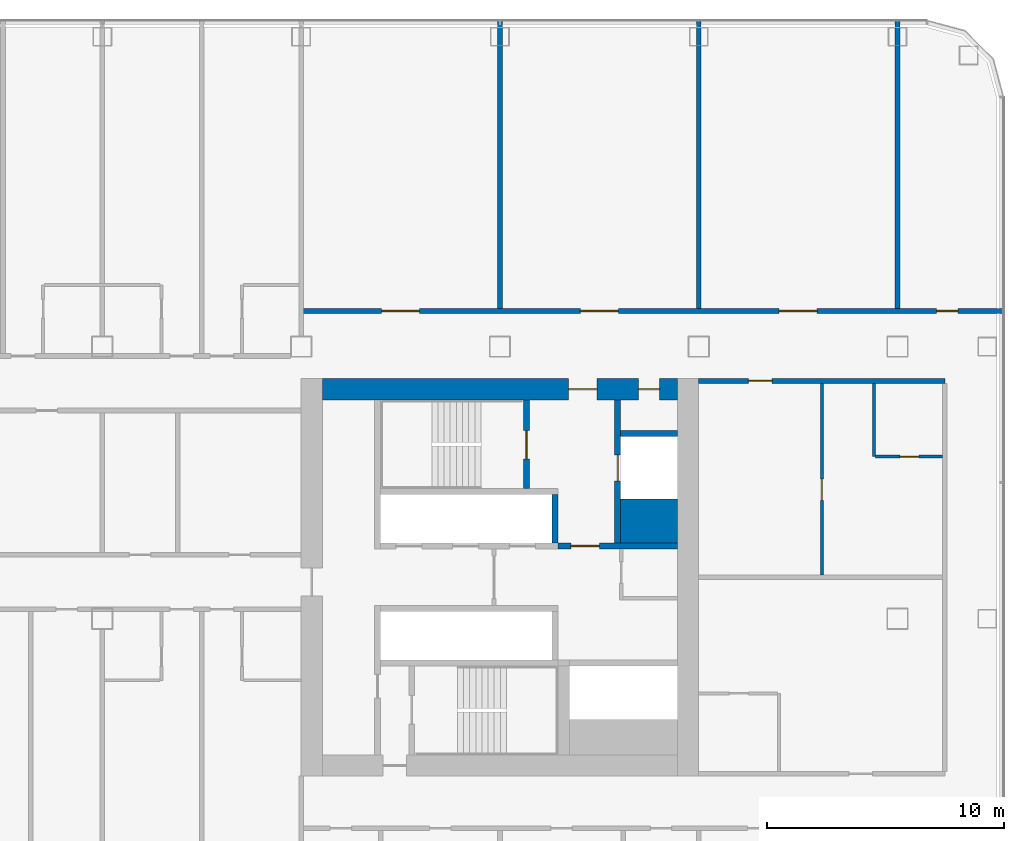
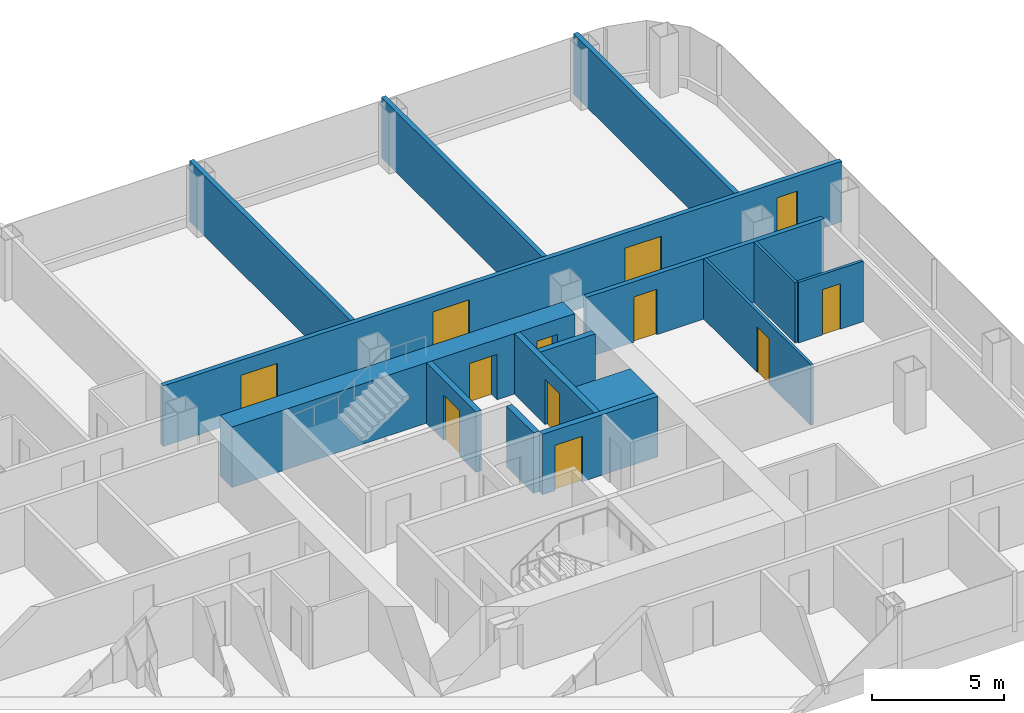
# One storey, part 20 of 29: 15 walls, 12 doors, 12 openings.
"""IFC4 building model written with IfcOpenShell, lengths in metres."""

from ifc_helpers import new_model, si_unit, direction, frame, frame_2d, origin, place, context, subcontext, project, spatial, rectangle, extrude, material, layer, layer_set, type_object, element, fill, save


model = new_model("IFC4")

# Units and contexts
model_context = context("Model", 3, precision=1e-05, world=origin(), true_north=direction((0.0, 1.0)))
body_context = subcontext(model_context, "Body", "Model", "MODEL_VIEW")
ifc_project = project(units=[si_unit("LENGTHUNIT", "METRE"), si_unit("AREAUNIT", "SQUARE_METRE"), si_unit("VOLUMEUNIT", "CUBIC_METRE"), si_unit("PLANEANGLEUNIT", "RADIAN"), si_unit("MASSUNIT", "GRAM", prefix="KILO")], contexts=[model_context])

# Site, building, storey
site_placement = place(None, origin())
site = spatial("IfcSite", under=ifc_project, at=site_placement, CompositionType="ELEMENT")
building_placement = place(site_placement, origin())
building = spatial("IfcBuilding", under=site, at=building_placement, Name="Hakoniwa Tower and Hamabe Station Hall", CompositionType="ELEMENT")
storey_placement = place(building_placement, frame((0.0, 0.0, 110.60009765625)))
storey = spatial("IfcBuildingStorey", under=building, at=storey_placement, Name="L31", CompositionType="ELEMENT", Elevation=110.60009765625)

# Wall, opening, door
ifc_material_1 = material(Name="Gypsum board partition", Category="gypsum")
ifc_layer_1 = layer(ifc_material_1, 0.125)
ifc_layer_set_1 = layer_set([ifc_layer_1], Name="Bathroom Partition 125")
wall_type_1 = type_object("IfcWallType", Name="Bathroom Partition 125", PredefinedType="PARTITIONING", material=ifc_layer_set_1)
wall_1_placement = place(storey_placement, frame((41.0625, 5.10009765625, 0.0), z_axis=(0.0, 0.0, 1.0), x_axis=(1.0, 0.0, 0.0)))
wall_1 = element("IfcWall", 1, at=wall_1_placement, inside=storey, type_object=wall_type_1, Name="GW-L31-017", PredefinedType="PARTITIONING", context=body_context, shape_type="SweptSolid", body=[
    extrude(rectangle(XDim=2.83740234375, YDim=0.125, at=frame_2d((1.418701171875, 0.0))), origin(), (0.0, 0.0, 1.0), 2.7998046875),
])
opening_1_placement = place(wall_1_placement, frame((1.03759765625, 0.0, 0.0)))
opening_1 = element("IfcOpeningElement", 2, at=opening_1_placement, cuts=wall_1, Name="Opening GD-G2B2-31", PredefinedType="OPENING", context=body_context, shape_type="SweptSolid", body=[
    extrude(rectangle(XDim=0.800048828125, YDim=2.10009765625, at=frame_2d((0.39990234375, 1.050048828125))), frame((0.0, 0.072509765625, 0.0), z_axis=(0.0, -1.0, 0.0), x_axis=(1.0, 0.0, 0.0)), (0.0, 0.0, 1.0), 0.14501953125),
])
ifc_material_2 = material(Name="Timber door leaf", Category="wood")
door_type_1 = type_object("IfcDoorType", Name="Bathroom Door 800", OperationType="SINGLE_SWING_LEFT", PredefinedType="DOOR", material=ifc_material_2)
door_1_placement = place(opening_1_placement, origin())
door_1 = element("IfcDoor", 3, at=door_1_placement, inside=storey, type_object=door_type_1, Name="Door GD-G2B2-31", OperationType="SINGLE_SWING_RIGHT", OverallHeight=2.10009765625, OverallWidth=0.800048828125, PredefinedType="DOOR", context=body_context, shape_type="SweptSolid", body=[
    extrude(rectangle(XDim=0.800048828125, YDim=2.10009765625, at=frame_2d((0.39990234375, 1.050048828125))), frame((0.0, 0.02490234375, 0.0), z_axis=(0.0, -1.0, 0.0), x_axis=(1.0, 0.0, 0.0)), (0.0, 0.0, 1.0), 0.050048828125),
])
fill(opening_1, door_1)

# Wall
wall_2_placement = place(storey_placement, frame((41.0, 5.10009765625, 0.0), z_axis=(0.0, 0.0, 1.0), x_axis=(0.0, 1.0, 0.0)))
element("IfcWall", 4, at=wall_2_placement, inside=storey, type_object=wall_type_1, Name="GW-L31-095", PredefinedType="PARTITIONING", context=body_context, shape_type="SweptSolid", body=[
    extrude(rectangle(XDim=3.099853515625, YDim=0.125, at=frame_2d((1.5498046875, 0.0))), origin(), (0.0, 0.0, 1.0), 2.7998046875),
])

# Wall, openings, doors
ifc_material_3 = material(Name="Concrete C72", Category="concrete")
ifc_layer_2 = layer(ifc_material_3, 0.89990234375)
ifc_layer_set_2 = layer_set([ifc_layer_2], Name="CORE WALL 900 C72")
wall_type_2 = type_object("IfcWallType", Name="CORE WALL 900 C72", PredefinedType="SHEAR", material=ifc_layer_set_2)
wall_3_placement = place(storey_placement, frame((17.699951171875, 7.949951171875, 0.0), z_axis=(0.0, 0.0, 1.0), x_axis=(1.0, 0.0, 0.0)))
wall_3 = element("IfcWall", 5, at=wall_3_placement, inside=storey, type_object=wall_type_2, Name="Core wall NORTH east", PredefinedType="SHEAR", context=body_context, shape_type="SweptSolid", body=[
    extrude(rectangle(XDim=15.0, YDim=0.89990234375, at=frame_2d((7.5, 0.0))), origin(), (0.0, 0.0, 1.0), 2.7998046875),
])
opening_2_placement = place(wall_3_placement, frame((10.39990234375, 0.0, 0.0)))
opening_2 = element("IfcOpeningElement", 6, at=opening_2_placement, cuts=wall_3, Name="Opening CD-E-FN1-12", PredefinedType="OPENING", context=body_context, shape_type="SweptSolid", body=[
    extrude(rectangle(XDim=1.199951171875, YDim=2.10009765625, at=frame_2d((0.60009765625, 1.050048828125))), frame((0.0, 0.4599609375, 0.0), z_axis=(0.0, -1.0, 0.0), x_axis=(1.0, 0.0, 0.0)), (0.0, 0.0, 1.0), 0.919921875),
])
opening_3_placement = place(wall_3_placement, frame((13.35009765625, 0.0, 0.0)))
opening_3 = element("IfcOpeningElement", 7, at=opening_3_placement, cuts=wall_3, Name="Opening CD-E-FN2-9", PredefinedType="OPENING", context=body_context, shape_type="SweptSolid", body=[
    extrude(rectangle(XDim=0.89990234375, YDim=2.10009765625, at=frame_2d((0.449951171875, 1.050048828125))), frame((0.0, 0.4599609375, 0.0), z_axis=(0.0, -1.0, 0.0), x_axis=(1.0, 0.0, 0.0)), (0.0, 0.0, 1.0), 0.919921875),
])
ifc_material_4 = material(Name="Steel fire door", Category="steel")
door_type_2 = type_object("IfcDoorType", Name="CORE DOOR 1200 FD60", OperationType="DOUBLE_DOOR_SINGLE_SWING", PredefinedType="DOOR", material=ifc_material_4)
door_2_placement = place(opening_2_placement, origin())
door_2 = element("IfcDoor", 8, at=door_2_placement, inside=storey, type_object=door_type_2, Name="Stair vestibule door to the fire-fighting lobby", OperationType="DOUBLE_DOOR_SINGLE_SWING", OverallHeight=2.10009765625, OverallWidth=1.199951171875, PredefinedType="DOOR", context=body_context, shape_type="SweptSolid", body=[
    extrude(rectangle(XDim=1.199951171875, YDim=2.10009765625, at=frame_2d((0.60009765625, 1.050048828125))), frame((0.0, 0.02490234375, 0.0), z_axis=(0.0, -1.0, 0.0), x_axis=(1.0, 0.0, 0.0)), (0.0, 0.0, 1.0), 0.050048828125),
])
fill(opening_2, door_2)
ifc_material_5 = material(Name="Steel fire door", Category="steel")
door_type_3 = type_object("IfcDoorType", Name="CORE DOOR 900 FD30", OperationType="NOTDEFINED", PredefinedType="DOOR", material=ifc_material_5)
door_3_placement = place(opening_3_placement, origin())
door_3 = element("IfcDoor", 9, at=door_3_placement, inside=storey, type_object=door_type_3, Name="Riser access door", OperationType="SINGLE_SWING_LEFT", OverallHeight=2.10009765625, OverallWidth=0.89990234375, PredefinedType="DOOR", context=body_context, shape_type="SweptSolid", body=[
    extrude(rectangle(XDim=0.89990234375, YDim=2.10009765625, at=frame_2d((0.449951171875, 1.050048828125))), frame((0.0, 0.02490234375, 0.0), z_axis=(0.0, -1.0, 0.0), x_axis=(1.0, 0.0, 0.0)), (0.0, 0.0, 1.0), 0.050048828125),
])
fill(opening_3, door_3)

# Walls
ifc_material_6 = material(Name="Concrete C72", Category="concrete")
ifc_layer_3 = layer(ifc_material_6, 1.85009765625)
ifc_layer_set_3 = layer_set([ifc_layer_3], Name="CORE WEB WALL 1850 C72")
wall_type_3 = type_object("IfcWallType", Name="CORE WEB WALL 1850 C72", PredefinedType="SHEAR", material=ifc_layer_set_3)
wall_4_placement = place(storey_placement, frame((30.300048828125, 2.375, 0.0), z_axis=(0.0, 0.0, 1.0), x_axis=(1.0, 0.0, 0.0)))
element("IfcWall", 10, at=wall_4_placement, inside=storey, type_object=wall_type_3, Name="Core wall CA east", PredefinedType="SHEAR", context=body_context, shape_type="SweptSolid", body=[
    extrude(rectangle(XDim=2.39990234375, YDim=1.85009765625, at=frame_2d((1.199951171875, 0.0))), origin(), (0.0, 0.0, 1.0), 2.7998046875),
])
ifc_material_7 = material(Name="Concrete C72", Category="concrete")
ifc_layer_4 = layer(ifc_material_7, 0.25)
ifc_layer_set_4 = layer_set([ifc_layer_4], Name="CORE WEB WALL 250 C72")
wall_type_4 = type_object("IfcWallType", Name="CORE WEB WALL 250 C72", PredefinedType="SHEAR", material=ifc_layer_set_4)
wall_5_placement = place(storey_placement, frame((27.52490234375, 1.449951171875, 0.0), z_axis=(0.0, 0.0, 1.0), x_axis=(0.0, 1.0, 0.0)))
element("IfcWall", 11, at=wall_5_placement, inside=storey, type_object=wall_type_4, Name="Core wall NE east", PredefinedType="SHEAR", context=body_context, shape_type="SweptSolid", body=[
    extrude(rectangle(XDim=2.050048828125, YDim=0.25, at=frame_2d((1.02490234375, 0.0))), origin(), (0.0, 0.0, 1.0), 2.7998046875),
])

# Wall, opening, door
wall_6_placement = place(storey_placement, frame((26.324951171875, 3.75, 0.0), z_axis=(0.0, 0.0, 1.0), x_axis=(0.0, 1.0, 0.0)))
wall_6 = element("IfcWall", 12, at=wall_6_placement, inside=storey, type_object=wall_type_4, Name="Core wall NSE east", PredefinedType="SHEAR", context=body_context, shape_type="SweptSolid", body=[
    extrude(rectangle(XDim=3.75, YDim=0.25, at=frame_2d((1.875, 0.0))), origin(), (0.0, 0.0, 1.0), 2.7998046875),
])
opening_4_placement = place(wall_6_placement, frame((1.25, 0.0, 0.0)))
opening_4 = element("IfcOpeningElement", 13, at=opening_4_placement, cuts=wall_6, Name="Opening CD-E-SN-12", PredefinedType="OPENING", context=body_context, shape_type="SweptSolid", body=[
    extrude(rectangle(XDim=1.199951171875, YDim=2.10009765625, at=frame_2d((0.60009765625, 1.050048828125))), frame((0.0, 0.135009765625, 0.0), z_axis=(0.0, -1.0, 0.0), x_axis=(1.0, 0.0, 0.0)), (0.0, 0.0, 1.0), 0.27001953125),
])
door_4_placement = place(opening_4_placement, origin())
door_4 = element("IfcDoor", 14, at=door_4_placement, inside=storey, type_object=door_type_2, Name="Escape stair door", OperationType="DOUBLE_DOOR_SINGLE_SWING", OverallHeight=2.10009765625, OverallWidth=1.199951171875, PredefinedType="DOOR", context=body_context, shape_type="SweptSolid", body=[
    extrude(rectangle(XDim=1.199951171875, YDim=2.10009765625, at=frame_2d((0.60009765625, 1.050048828125))), frame((0.0, 0.02490234375, 0.0), z_axis=(0.0, -1.0, 0.0), x_axis=(1.0, 0.0, 0.0)), (0.0, 0.0, 1.0), 0.050048828125),
])
fill(opening_4, door_4)

wall_7_placement = place(storey_placement, frame((27.64990234375, 1.324951171875, 0.0), z_axis=(0.0, 0.0, 1.0), x_axis=(1.0, 0.0, 0.0)))
wall_7 = element("IfcWall", 15, at=wall_7_placement, inside=storey, type_object=wall_type_4, Name="Core wall ELN east", PredefinedType="SHEAR", context=body_context, shape_type="SweptSolid", body=[
    extrude(rectangle(XDim=5.050048828125, YDim=0.25, at=frame_2d((2.52490234375, 0.0))), origin(), (0.0, 0.0, 1.0), 2.7998046875),
])
opening_5_placement = place(wall_7_placement, frame((0.550048828125, 0.0, 0.0)))
opening_5 = element("IfcOpeningElement", 16, at=opening_5_placement, cuts=wall_7, Name="Opening CD-E-FL-12", PredefinedType="OPENING", context=body_context, shape_type="SweptSolid", body=[
    extrude(rectangle(XDim=1.199951171875, YDim=2.10009765625, at=frame_2d((0.60009765625, 1.050048828125))), frame((0.0, 0.135009765625, 0.0), z_axis=(0.0, -1.0, 0.0), x_axis=(1.0, 0.0, 0.0)), (0.0, 0.0, 1.0), 0.27001953125),
])
door_5_placement = place(opening_5_placement, origin())
door_5 = element("IfcDoor", 17, at=door_5_placement, inside=storey, type_object=door_type_2, Name="Stair vestibule door to the fire-fighting lobby", OperationType="DOUBLE_DOOR_SINGLE_SWING", OverallHeight=2.10009765625, OverallWidth=1.199951171875, PredefinedType="DOOR", context=body_context, shape_type="SweptSolid", body=[
    extrude(rectangle(XDim=1.199951171875, YDim=2.10009765625, at=frame_2d((0.60009765625, 1.050048828125))), frame((0.0, 0.02490234375, 0.0), z_axis=(0.0, -1.0, 0.0), x_axis=(1.0, 0.0, 0.0)), (0.0, 0.0, 1.0), 0.050048828125),
])
fill(opening_5, door_5)

wall_8_placement = place(storey_placement, frame((30.175048828125, 1.449951171875, 0.0), z_axis=(0.0, 0.0, 1.0), x_axis=(0.0, 1.0, 0.0)))
wall_8 = element("IfcWall", 18, at=wall_8_placement, inside=storey, type_object=wall_type_4, Name="Core wall FFF east", PredefinedType="SHEAR", context=body_context, shape_type="SweptSolid", body=[
    extrude(rectangle(XDim=6.050048828125, YDim=0.25, at=frame_2d((3.02490234375, 0.0))), origin(), (0.0, 0.0, 1.0), 2.7998046875),
])
opening_6_placement = place(wall_8_placement, frame((2.625, 0.0, 0.0)))
opening_6 = element("IfcOpeningElement", 19, at=opening_6_placement, cuts=wall_8, Name="Opening LD-FF2", PredefinedType="OPENING", context=body_context, shape_type="SweptSolid", body=[
    extrude(rectangle(XDim=1.10009765625, YDim=2.10009765625, at=frame_2d((0.550048828125, 1.050048828125))), frame((0.0, 0.135009765625, 0.0), z_axis=(0.0, -1.0, 0.0), x_axis=(1.0, 0.0, 0.0)), (0.0, 0.0, 1.0), 0.27001953125),
])
ifc_material_8 = material(Name="Stainless steel SUS304", Category="steel")
door_type_4 = type_object("IfcDoorType", Name="LIFT LANDING DOOR 1100 FD60", OperationType="DOUBLE_DOOR_SLIDING", PredefinedType="DOOR", material=ifc_material_8)
door_6_placement = place(opening_6_placement, origin())
door_6 = element("IfcDoor", 20, at=door_6_placement, inside=storey, type_object=door_type_4, Name="Lift landing door FF2 L31", OperationType="DOUBLE_DOOR_SLIDING", OverallHeight=2.10009765625, OverallWidth=1.10009765625, PredefinedType="DOOR", context=body_context, shape_type="SweptSolid", body=[
    extrude(rectangle(XDim=1.10009765625, YDim=2.10009765625, at=frame_2d((0.550048828125, 1.050048828125))), frame((0.0, 0.02490234375, 0.0), z_axis=(0.0, -1.0, 0.0), x_axis=(1.0, 0.0, 0.0)), (0.0, 0.0, 1.0), 0.050048828125),
])
fill(opening_6, door_6)

# Wall
wall_9_placement = place(storey_placement, frame((30.300048828125, 6.074951171875, 0.0), z_axis=(0.0, 0.0, 1.0), x_axis=(1.0, 0.0, 0.0)))
element("IfcWall", 21, at=wall_9_placement, inside=storey, type_object=wall_type_4, Name="Core wall C2 east", PredefinedType="SHEAR", context=body_context, shape_type="SweptSolid", body=[
    extrude(rectangle(XDim=2.39990234375, YDim=0.25, at=frame_2d((1.199951171875, 0.0))), origin(), (0.0, 0.0, 1.0), 2.7998046875),
])

# Wall, opening, door
ifc_material_9 = material(Name="Fire-rated gypsum board partition", Category="gypsum")
ifc_layer_5 = layer(ifc_material_9, 0.199951171875)
ifc_layer_set_5 = layer_set([ifc_layer_5], Name="Corridor Wall 200")
wall_type_5 = type_object("IfcWallType", Name="Corridor Wall 200", PredefinedType="PARTITIONING", material=ifc_layer_set_5)
wall_10_placement = place(storey_placement, frame((33.60009765625, 8.300048828125, 0.0), z_axis=(0.0, 0.0, 1.0), x_axis=(1.0, 0.0, 0.0)))
wall_10 = element("IfcWall", 22, at=wall_10_placement, inside=storey, type_object=wall_type_5, Name="GW-L31-020", PredefinedType="PARTITIONING", context=body_context, shape_type="SweptSolid", body=[
    extrude(rectangle(XDim=10.39990234375, YDim=0.199951171875, at=frame_2d((5.199951171875, 0.0))), origin(), (0.0, 0.0, 1.0), 2.7998046875),
])
opening_7_placement = place(wall_10_placement, frame((2.10009765625, 0.0, 0.0)))
opening_7 = element("IfcOpeningElement", 23, at=opening_7_placement, cuts=wall_10, Name="Opening GD-G2B2-37", PredefinedType="OPENING", context=body_context, shape_type="SweptSolid", body=[
    extrude(rectangle(XDim=1.0, YDim=2.10009765625, at=frame_2d((0.5, 1.050048828125))), frame((0.0, 0.10986328125, 0.0), z_axis=(0.0, -1.0, 0.0), x_axis=(1.0, 0.0, 0.0)), (0.0, 0.0, 1.0), 0.219970703125),
])
ifc_material_10 = material(Name="Timber door leaf", Category="wood")
door_type_5 = type_object("IfcDoorType", Name="Guest Entrance Door 1000", OperationType="SINGLE_SWING_LEFT", PredefinedType="DOOR", material=ifc_material_10)
door_7_placement = place(opening_7_placement, origin())
door_7 = element("IfcDoor", 24, at=door_7_placement, inside=storey, type_object=door_type_5, Name="Door GD-G2B2-37", OperationType="SINGLE_SWING_RIGHT", OverallHeight=2.10009765625, OverallWidth=1.0, PredefinedType="DOOR", context=body_context, shape_type="SweptSolid", body=[
    extrude(rectangle(XDim=1.0, YDim=2.10009765625, at=frame_2d((0.5, 1.050048828125))), frame((0.0, 0.02490234375, 0.0), z_axis=(0.0, -1.0, 0.0), x_axis=(1.0, 0.0, 0.0)), (0.0, 0.0, 1.0), 0.050048828125),
])
fill(opening_7, door_7)

# Wall, openings, doors
wall_11_placement = place(storey_placement, frame((16.800048828125, 11.25, 0.0), z_axis=(0.0, 0.0, 1.0), x_axis=(1.0, 0.0, 0.0)))
wall_11 = element("IfcWall", 25, at=wall_11_placement, inside=storey, type_object=wall_type_5, Name="GW-L31-023", PredefinedType="PARTITIONING", context=body_context, shape_type="SweptSolid", body=[
    extrude(rectangle(XDim=29.699951171875, YDim=0.199951171875, at=frame_2d((14.85009765625, 0.0))), origin(), (0.0, 0.0, 1.0), 2.7998046875),
])
opening_8_placement = place(wall_11_placement, frame((3.39990234375, 0.0, 0.0)))
opening_8 = element("IfcOpeningElement", 26, at=opening_8_placement, cuts=wall_11, Name="Opening GD-G2B2-53", PredefinedType="OPENING", context=body_context, shape_type="SweptSolid", body=[
    extrude(rectangle(XDim=1.60009765625, YDim=2.10009765625, at=frame_2d((0.800048828125, 1.050048828125))), frame((0.0, 0.10986328125, 0.0), z_axis=(0.0, -1.0, 0.0), x_axis=(1.0, 0.0, 0.0)), (0.0, 0.0, 1.0), 0.219970703125),
])
opening_9_placement = place(wall_11_placement, frame((11.800048828125, 0.0, 0.0)))
opening_9 = element("IfcOpeningElement", 27, at=opening_9_placement, cuts=wall_11, Name="Opening GD-G2B2-54", PredefinedType="OPENING", context=body_context, shape_type="SweptSolid", body=[
    extrude(rectangle(XDim=1.60009765625, YDim=2.10009765625, at=frame_2d((0.800048828125, 1.050048828125))), frame((0.0, 0.10986328125, 0.0), z_axis=(0.0, -1.0, 0.0), x_axis=(1.0, 0.0, 0.0)), (0.0, 0.0, 1.0), 0.219970703125),
])
opening_10_placement = place(wall_11_placement, frame((20.199951171875, 0.0, 0.0)))
opening_10 = element("IfcOpeningElement", 28, at=opening_10_placement, cuts=wall_11, Name="Opening GD-G2B2-55", PredefinedType="OPENING", context=body_context, shape_type="SweptSolid", body=[
    extrude(rectangle(XDim=1.60009765625, YDim=2.10009765625, at=frame_2d((0.800048828125, 1.050048828125))), frame((0.0, 0.10986328125, 0.0), z_axis=(0.0, -1.0, 0.0), x_axis=(1.0, 0.0, 0.0)), (0.0, 0.0, 1.0), 0.219970703125),
])
opening_11_placement = place(wall_11_placement, frame((26.85009765625, 0.0, 0.0)))
opening_11 = element("IfcOpeningElement", 29, at=opening_11_placement, cuts=wall_11, Name="Opening GD-G2B2-56", PredefinedType="OPENING", context=body_context, shape_type="SweptSolid", body=[
    extrude(rectangle(XDim=0.89990234375, YDim=2.10009765625, at=frame_2d((0.449951171875, 1.050048828125))), frame((0.0, 0.10986328125, 0.0), z_axis=(0.0, -1.0, 0.0), x_axis=(1.0, 0.0, 0.0)), (0.0, 0.0, 1.0), 0.219970703125),
])
ifc_material_11 = material(Name="Timber door leaf", Category="wood")
door_type_6 = type_object("IfcDoorType", Name="Double Door 1600", OperationType="DOUBLE_DOOR_SINGLE_SWING", PredefinedType="DOOR", material=ifc_material_11)
door_8_placement = place(opening_8_placement, origin())
door_8 = element("IfcDoor", 30, at=door_8_placement, inside=storey, type_object=door_type_6, Name="Door GD-G2B2-53", OperationType="DOUBLE_DOOR_SINGLE_SWING", OverallHeight=2.10009765625, OverallWidth=1.60009765625, PredefinedType="DOOR", context=body_context, shape_type="SweptSolid", body=[
    extrude(rectangle(XDim=1.60009765625, YDim=2.10009765625, at=frame_2d((0.800048828125, 1.050048828125))), frame((0.0, 0.02490234375, 0.0), z_axis=(0.0, -1.0, 0.0), x_axis=(1.0, 0.0, 0.0)), (0.0, 0.0, 1.0), 0.050048828125),
])
fill(opening_8, door_8)
door_9_placement = place(opening_9_placement, origin())
door_9 = element("IfcDoor", 31, at=door_9_placement, inside=storey, type_object=door_type_6, Name="Door GD-G2B2-54", OperationType="DOUBLE_DOOR_SINGLE_SWING", OverallHeight=2.10009765625, OverallWidth=1.60009765625, PredefinedType="DOOR", context=body_context, shape_type="SweptSolid", body=[
    extrude(rectangle(XDim=1.60009765625, YDim=2.10009765625, at=frame_2d((0.800048828125, 1.050048828125))), frame((0.0, 0.02490234375, 0.0), z_axis=(0.0, -1.0, 0.0), x_axis=(1.0, 0.0, 0.0)), (0.0, 0.0, 1.0), 0.050048828125),
])
fill(opening_9, door_9)
door_10_placement = place(opening_10_placement, origin())
door_10 = element("IfcDoor", 32, at=door_10_placement, inside=storey, type_object=door_type_6, Name="Door GD-G2B2-55", OperationType="DOUBLE_DOOR_SINGLE_SWING", OverallHeight=2.10009765625, OverallWidth=1.60009765625, PredefinedType="DOOR", context=body_context, shape_type="SweptSolid", body=[
    extrude(rectangle(XDim=1.60009765625, YDim=2.10009765625, at=frame_2d((0.800048828125, 1.050048828125))), frame((0.0, 0.02490234375, 0.0), z_axis=(0.0, -1.0, 0.0), x_axis=(1.0, 0.0, 0.0)), (0.0, 0.0, 1.0), 0.050048828125),
])
fill(opening_10, door_10)
ifc_material_12 = material(Name="Timber door leaf", Category="wood")
door_type_7 = type_object("IfcDoorType", Name="Service Door 900", OperationType="SINGLE_SWING_LEFT", PredefinedType="DOOR", material=ifc_material_12)
door_11_placement = place(opening_11_placement, origin())
door_11 = element("IfcDoor", 33, at=door_11_placement, inside=storey, type_object=door_type_7, Name="Door GD-G2B2-56", OperationType="SINGLE_SWING_RIGHT", OverallHeight=2.10009765625, OverallWidth=0.89990234375, PredefinedType="DOOR", context=body_context, shape_type="SweptSolid", body=[
    extrude(rectangle(XDim=0.89990234375, YDim=2.10009765625, at=frame_2d((0.449951171875, 1.050048828125))), frame((0.0, 0.02490234375, 0.0), z_axis=(0.0, -1.0, 0.0), x_axis=(1.0, 0.0, 0.0)), (0.0, 0.0, 1.0), 0.050048828125),
])
fill(opening_11, door_11)

# Walls
ifc_material_13 = material(Name="Fire-rated gypsum board partition", Category="gypsum")
ifc_layer_6 = layer(ifc_material_13, 0.199951171875)
ifc_layer_set_6 = layer_set([ifc_layer_6], Name="Party Wall 200")
wall_type_6 = type_object("IfcWallType", Name="Party Wall 200", PredefinedType="PARTITIONING", material=ifc_layer_set_6)
for number, where, z_axis, x_axis, name in (
    (34, (25.199951171875, 11.35009765625, 0.0), (0.0, 0.0, 1.0), (0.0, 1.0, 0.0), "GW-L31-088"),
    (35, (33.60009765625, 11.35009765625, 0.0), (0.0, 0.0, 1.0), (0.0, 1.0, 0.0), "GW-L31-091"),
    (36, (42.0, 11.35009765625, 0.0), (0.0, 0.0, 1.0), (0.0, 1.0, 0.0), "GW-L31-097"),
):
    element("IfcWall", number, at=place(storey_placement, frame(where, z_axis=z_axis, x_axis=x_axis)), inside=storey, type_object=wall_type_6, Name=name, PredefinedType="PARTITIONING", context=body_context, shape_type="SweptSolid", body=[
        extrude(rectangle(XDim=12.199951171875, YDim=0.199951171875, at=frame_2d((6.10009765625, 0.0))), origin(), (0.0, 0.0, 1.0), 2.7998046875),
    ])

# Wall, opening, door
ifc_material_14 = material(Name="Gypsum board partition", Category="gypsum")
ifc_layer_7 = layer(ifc_material_14, 0.125)
ifc_layer_set_7 = layer_set([ifc_layer_7], Name="Room Partition 125")
wall_type_7 = type_object("IfcWallType", Name="Room Partition 125", PredefinedType="PARTITIONING", material=ifc_layer_set_7)
wall_12_placement = place(storey_placement, frame((38.800048828125, 0.10009765625, 0.0), z_axis=(0.0, 0.0, 1.0), x_axis=(0.0, 1.0, 0.0)))
wall_12 = element("IfcWall", 37, at=wall_12_placement, inside=storey, type_object=wall_type_7, Name="GW-L31-094", PredefinedType="PARTITIONING", context=body_context, shape_type="SweptSolid", body=[
    extrude(rectangle(XDim=8.099853515625, YDim=0.125, at=frame_2d((4.0498046875, 0.0))), origin(), (0.0, 0.0, 1.0), 2.7998046875),
])
opening_12_placement = place(wall_12_placement, frame((3.14990234375, 0.0, 0.0)))
opening_12 = element("IfcOpeningElement", 38, at=opening_12_placement, cuts=wall_12, Name="Opening GD-G2B2-73", PredefinedType="OPENING", context=body_context, shape_type="SweptSolid", body=[
    extrude(rectangle(XDim=0.89990234375, YDim=2.10009765625, at=frame_2d((0.449951171875, 1.050048828125))), frame((0.0, 0.072509765625, 0.0), z_axis=(0.0, -1.0, 0.0), x_axis=(1.0, 0.0, 0.0)), (0.0, 0.0, 1.0), 0.14501953125),
])
ifc_material_15 = material(Name="Timber door leaf", Category="wood")
door_type_8 = type_object("IfcDoorType", Name="Suite Interior Door 900", OperationType="SINGLE_SWING_LEFT", PredefinedType="DOOR", material=ifc_material_15)
door_12_placement = place(opening_12_placement, origin())
door_12 = element("IfcDoor", 39, at=door_12_placement, inside=storey, type_object=door_type_8, Name="Door GD-G2B2-73", OperationType="SINGLE_SWING_LEFT", OverallHeight=2.10009765625, OverallWidth=0.89990234375, PredefinedType="DOOR", context=body_context, shape_type="SweptSolid", body=[
    extrude(rectangle(XDim=0.89990234375, YDim=2.10009765625, at=frame_2d((0.449951171875, 1.050048828125))), frame((0.0, 0.02490234375, 0.0), z_axis=(0.0, -1.0, 0.0), x_axis=(1.0, 0.0, 0.0)), (0.0, 0.0, 1.0), 0.050048828125),
])
fill(opening_12, door_12)

save(model, "model.ifc")
